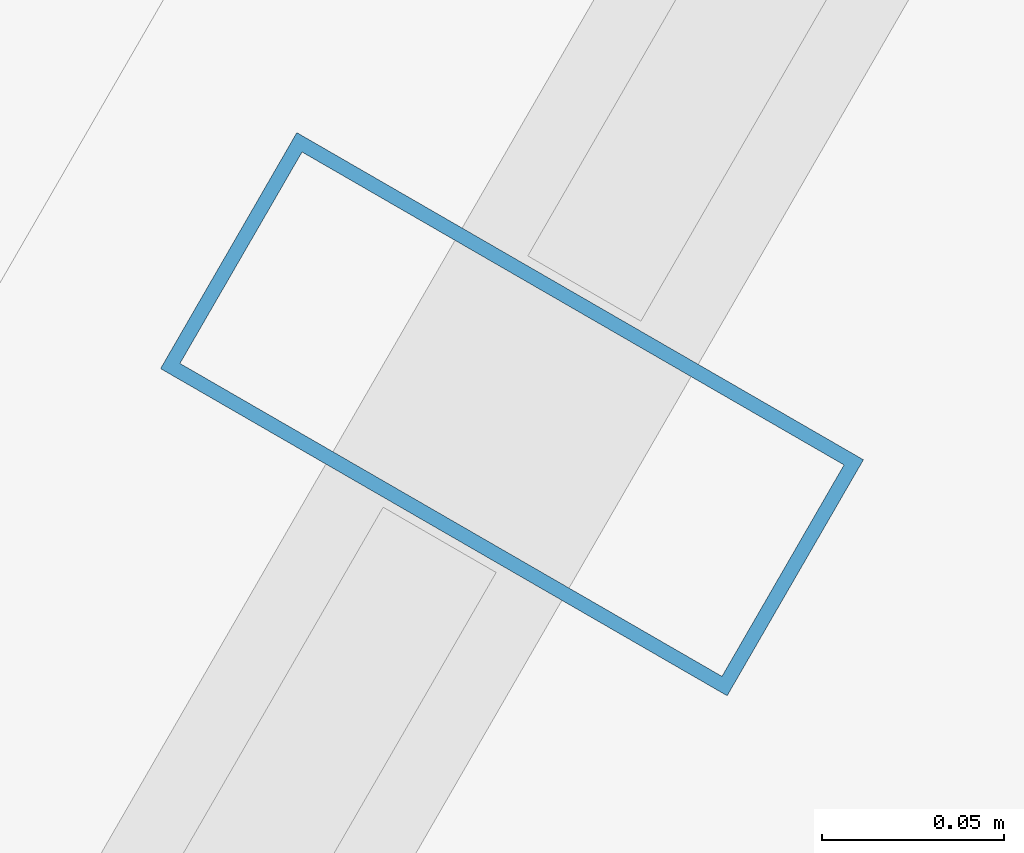
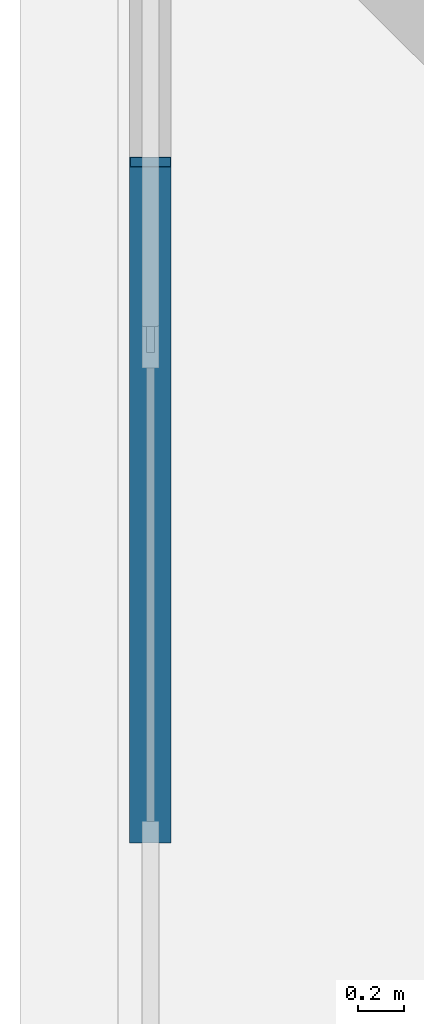
# One storey, part 15 of 32: 1 member, 1 element without a shape of its own.
"""IFC4 building model written with IfcOpenShell, lengths in metres."""

from ifc_helpers import new_model, si_unit, direction, frame, origin, origin_2d, place, context, subcontext, project, spatial, hollow_rectangle, extrude, material, layer, layer_set, material_profile, profile_set, type_object, element, aggregate, save


model = new_model("IFC4")

# Units and contexts
model_context = context("Model", 3, precision=1e-05, world=origin(), true_north=direction((0.0, 1.0)))
body_context = subcontext(model_context, "Body", "Model", "MODEL_VIEW")
ifc_project = project(units=[si_unit("LENGTHUNIT", "METRE"), si_unit("AREAUNIT", "SQUARE_METRE"), si_unit("VOLUMEUNIT", "CUBIC_METRE"), si_unit("PLANEANGLEUNIT", "RADIAN"), si_unit("MASSUNIT", "GRAM", prefix="KILO")], contexts=[model_context])

# Site, building, storey
site_placement = place(None, origin())
site = spatial("IfcSite", under=ifc_project, at=site_placement, CompositionType="ELEMENT")
building_placement = place(site_placement, origin())
building = spatial("IfcBuilding", under=site, at=building_placement, Name="Ndaravel Arena Tower", CompositionType="ELEMENT")
storey_placement = place(building_placement, frame((0.0, 0.0, 252.199951171875)))
storey = spatial("IfcBuildingStorey", under=building, at=storey_placement, Name="L61", CompositionType="ELEMENT", Elevation=252.199951171875)

# Curtain wall, member
ifc_material_1 = material(Name="Aluminium", Category="aluminium")
ifc_layer = layer(ifc_material_1, 0.179931640625)
ifc_layer_set = layer_set([ifc_layer], Name="Aluminium")
curtain_wall_type = type_object("IfcCurtainWallType", Name="CW-SYS-03", PredefinedType="NOTDEFINED", material=ifc_layer_set)
curtain_wall_placement = place(storey_placement, origin())
curtain_wall = element("IfcCurtainWall", 1, at=curtain_wall_placement, inside=storey, type_object=curtain_wall_type, Name="L61 Faceted Crystal Curtain Wall CW-L61-E05", PredefinedType="NOTDEFINED")
ifc_material_2 = material(Name="Aluminium", Category="aluminium")
ifc_material_profile = material_profile(ifc_material_2, hollow_rectangle(XDim=0.074951171875, YDim=0.179931640625, WallThickness=0.00390625, at=origin_2d()), Name="CW MULLION 75x180x4")
ifc_profile_set = profile_set([ifc_material_profile], Name="Aluminium")
member_type = type_object("IfcMemberType", Name="MEM-CW-MUL180", PredefinedType="MULLION", material=ifc_profile_set)
member_placement = place(storey_placement, frame((34.585693359375, 37.057373046875, 0.0), z_axis=(0.0, 0.0, 1.0), x_axis=(-0.5, -0.866025403784, 0.0)))
member = element("IfcMember", 2, at=member_placement, type_object=member_type, Name="CW-L61-E05 Mullion 02", PredefinedType="MULLION", context=body_context, shape_type="SweptSolid", body=[
    extrude(hollow_rectangle(XDim=0.074951171875, YDim=0.179931640625, WallThickness=0.00390625, at=origin_2d()), origin(), (0.0, 0.0, 1.0), 3.580078125),
])
aggregate(curtain_wall, [member])

save(model, "model.ifc")
